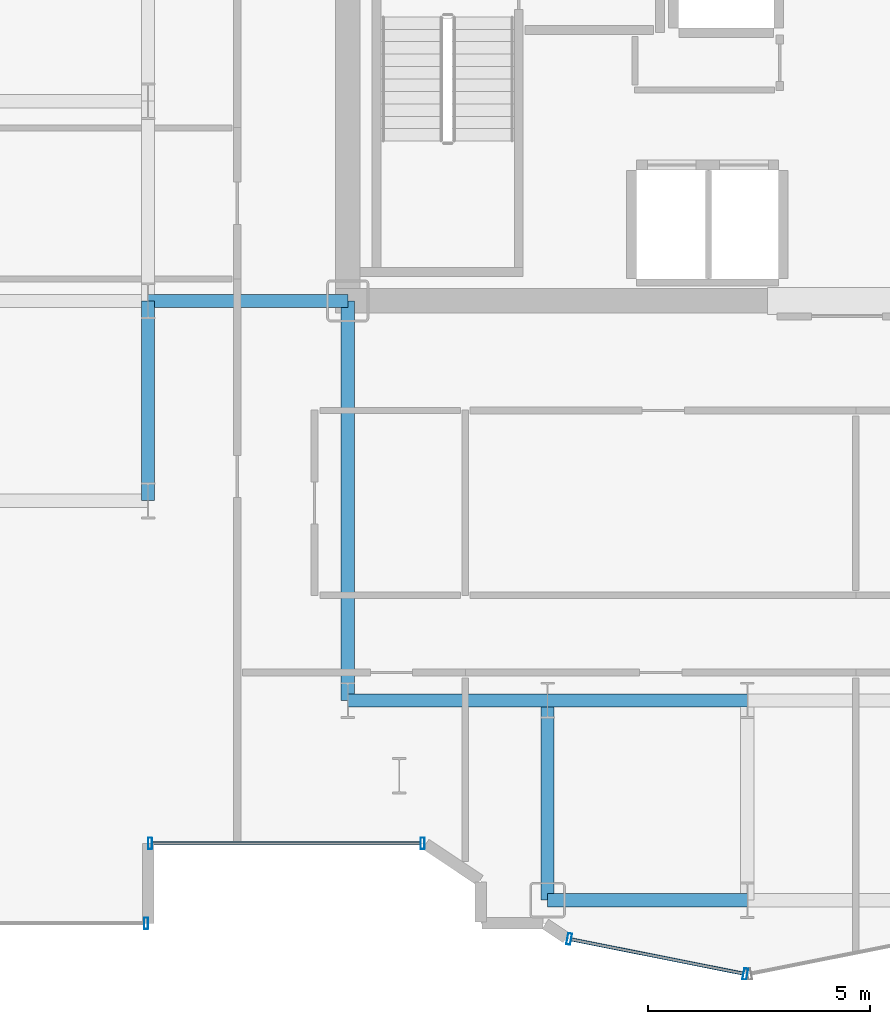
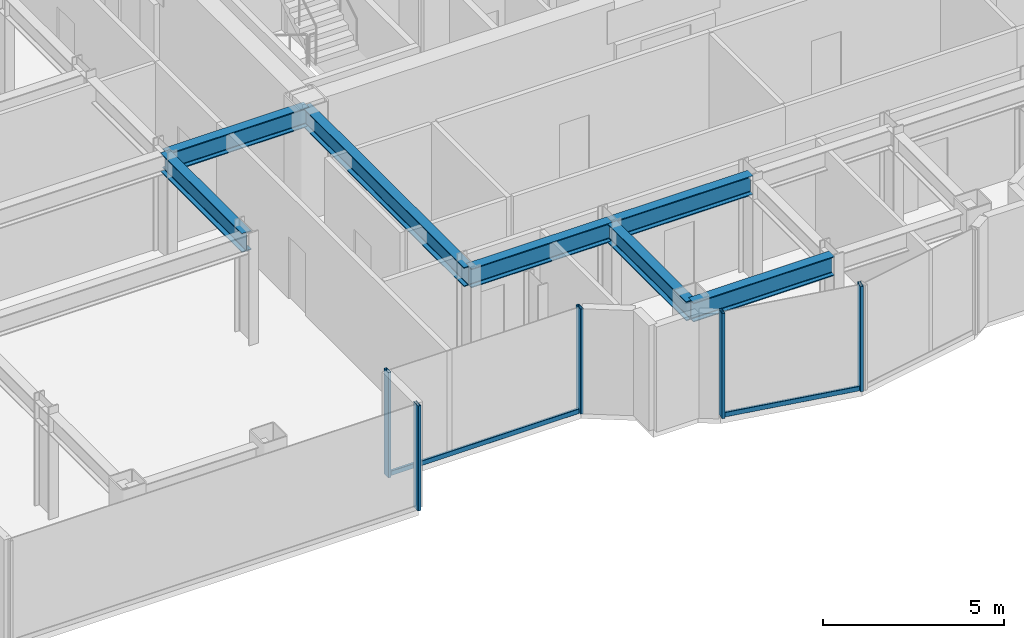
# One storey, part 5 of 23: 7 beams, 7 members, 3 elements without a shape of their own.
"""IFC4 building model written with IfcOpenShell, lengths in metres."""

from ifc_helpers import new_model, si_unit, direction, frame, origin, origin_2d, place, context, subcontext, project, spatial, hollow_rectangle, i_section, extrude, source, transform, mapped, material, layer, layer_set, material_profile, profile_set, type_object, element, aggregate, save


model = new_model("IFC4")

# Units and contexts
model_context = context("Model", 3, precision=1e-05, world=origin(), true_north=direction((0.0, 1.0)))
body_context = subcontext(model_context, "Body", "Model", "MODEL_VIEW")
ifc_project = project(units=[si_unit("LENGTHUNIT", "METRE"), si_unit("AREAUNIT", "SQUARE_METRE"), si_unit("VOLUMEUNIT", "CUBIC_METRE"), si_unit("PLANEANGLEUNIT", "RADIAN"), si_unit("MASSUNIT", "GRAM", prefix="KILO")], contexts=[model_context])

# Site, building, storey
site_placement = place(None, origin())
site = spatial("IfcSite", under=ifc_project, at=site_placement, CompositionType="ELEMENT")
building_placement = place(site_placement, origin())
building = spatial("IfcBuilding", under=site, at=building_placement, Name="Nefas-Gora Pilgrimage Tower", CompositionType="ELEMENT")
storey_placement = place(building_placement, frame((0.0, 0.0, 167.800048828125)))
storey = spatial("IfcBuildingStorey", under=building, at=storey_placement, Name="L41", CompositionType="ELEMENT", Elevation=167.800048828125)

# Beams
ifc_material_1 = material(Name="Steel S355", Category="steel")
ifc_material_profile_1 = material_profile(ifc_material_1, i_section(OverallWidth=0.300048828125, OverallDepth=0.64990234375, WebThickness=0.01611328125, FlangeThickness=0.031005859375, FilletRadius=0.027099609375, at=origin_2d()), Name="HEB 650")
ifc_profile_set_1 = profile_set([ifc_material_profile_1], Name="Steel S355")
beam_type = type_object("IfcBeamType", Name="BM-GIR-HEB650", PredefinedType="BEAM", material=ifc_profile_set_1)
shared_shape_1 = source(origin(), body_context, "Body", "SweptSolid", [
    extrude(i_section(OverallWidth=0.300048828125, OverallDepth=0.64990234375, WebThickness=0.01611328125, FlangeThickness=0.031005859375, FilletRadius=0.027099609375, at=origin_2d()), origin(), (0.0, 0.0, 1.0), 9.0),
])
beam_placement = place(storey_placement, frame((-11.25, -18.0, 3.224853515625), z_axis=(0.0, 1.0, 0.0), x_axis=(-1.0, 0.0, 0.0)))
element("IfcBeam", 1, at=beam_placement, inside=storey, type_object=beam_type, Name="L41 G-03 beam", PredefinedType="BEAM", context=body_context, shape_type="MappedRepresentation", body=[
    mapped(shared_shape_1, transform((0.0, 0.0, 0.0), x_axis=(1.0, 0.0, 0.0), y_axis=(0.0, 1.0, 0.0), z_axis=(0.0, 0.0, 1.0), scale=1.0)),
])
shared_shape_2 = source(origin(), body_context, "Body", "SweptSolid", [
    extrude(i_section(OverallWidth=0.300048828125, OverallDepth=0.64990234375, WebThickness=0.01611328125, FlangeThickness=0.031005859375, FilletRadius=0.027099609375, at=origin_2d()), origin(), (0.0, 0.0, 1.0), 4.5),
])
for number, where, z_axis, x_axis, name in (
    (2, (-15.75, -13.5, 3.224853515625), (0.0, 1.0, 0.0), (-1.0, 0.0, 0.0), "L41 G-03 beam"),
    (3, (-15.75, -9.0, 3.224853515625), (1.0, 0.0, 0.0), (0.0, 1.0, 0.0), "L41 G-03 beam"),
    (4, (-11.25, -18.0, 3.224853515625), (1.0, 0.0, 0.0), (0.0, 1.0, 0.0), "L41 G-03 beam"),
    (5, (-6.75, -22.5, 3.224853515625), (0.0, 1.0, 0.0), (-1.0, 0.0, 0.0), "L41 G-03 beam"),
    (6, (-6.75, -22.5, 3.224853515625), (1.0, 0.0, 0.0), (0.0, 1.0, 0.0), "L41 G-03 beam"),
    (7, (-6.75, -18.0, 3.224853515625), (1.0, 0.0, 0.0), (0.0, 1.0, 0.0), "L41 G-03 beam"),
):
    element("IfcBeam", number, at=place(storey_placement, frame(where, z_axis=z_axis, x_axis=x_axis)), inside=storey, type_object=beam_type, Name=name, PredefinedType="BEAM", context=body_context, shape_type="MappedRepresentation", body=[
        mapped(shared_shape_2, transform((0.0, 0.0, 0.0), x_axis=(1.0, 0.0, 0.0), y_axis=(0.0, 1.0, 0.0), z_axis=(0.0, 0.0, 1.0), scale=1.0)),
    ])

# Curtain wall, members
ifc_material_2 = material(Name="Dark ceramic-fritted solar-control aluminium-glass curtain wall", Category="aluminium")
ifc_layer_1 = layer(ifc_material_2, 0.219970703125)
ifc_layer_set_1 = layer_set([ifc_layer_1], Name="Dark ceramic-fritted solar-control aluminium-glass curtain wall")
curtain_wall_type_1 = type_object("IfcCurtainWallType", Name="CW-SYS-5", PredefinedType="NOTDEFINED", material=ifc_layer_set_1)
curtain_wall_1_placement = place(storey_placement, origin())
curtain_wall_1 = element("IfcCurtainWall", 8, at=curtain_wall_1_placement, inside=storey, type_object=curtain_wall_type_1, Name="L41 Unitised Curtain Wall CW5", PredefinedType="NOTDEFINED")
ifc_material_3 = material(Name="Anodised architectural aluminium", Category="aluminium")
ifc_material_profile_2 = material_profile(ifc_material_3, hollow_rectangle(XDim=0.090087890625, YDim=0.260009765625, WallThickness=0.006103515625, InnerFilletRadius=0.006103515625, OuterFilletRadius=0.011962890625, at=origin_2d()), Name="ALU MULLION 90x260")
ifc_profile_set_2 = profile_set([ifc_material_profile_2], Name="Anodised architectural aluminium")
member_type_1 = type_object("IfcMemberType", Name="CWM-MUL-5", PredefinedType="MULLION", material=ifc_profile_set_2)
shared_shape_3 = source(origin(), body_context, "Body", "SweptSolid", [
    extrude(hollow_rectangle(XDim=0.090087890625, YDim=0.260009765625, WallThickness=0.006103515625, InnerFilletRadius=0.006103515625, OuterFilletRadius=0.011962890625, at=origin_2d()), origin(), (0.0, 0.0, 1.0), 3.550048828125),
])
member_1_placement = place(storey_placement, frame((-15.705078125, -21.219970703125, 0.0), z_axis=(0.0, 0.0, 1.0), x_axis=(1.0, 0.0, 0.0)))
member_1 = element("IfcMember", 9, at=member_1_placement, type_object=member_type_1, Name="CW5 Mullion 1", PredefinedType="MULLION", context=body_context, shape_type="MappedRepresentation", body=[
    mapped(shared_shape_3, transform((0.0, 0.0, 0.0), x_axis=(1.0, 0.0, 0.0), y_axis=(0.0, 1.0, 0.0), z_axis=(0.0, 0.0, 1.0), scale=1.0)),
])
member_2_placement = place(storey_placement, frame((-9.56298828125, -21.219970703125, 0.0), z_axis=(0.0, 0.0, 1.0), x_axis=(1.0, 0.0, 0.0)))
member_2 = element("IfcMember", 10, at=member_2_placement, type_object=member_type_1, Name="CW5 Mullion 2", PredefinedType="MULLION", context=body_context, shape_type="MappedRepresentation", body=[
    mapped(shared_shape_3, transform((0.0, 0.0, 0.0), x_axis=(1.0, 0.0, 0.0), y_axis=(0.0, 1.0, 0.0), z_axis=(0.0, 0.0, 1.0), scale=1.0)),
])

curtain_wall_2_placement = place(storey_placement, origin())
curtain_wall_2 = element("IfcCurtainWall", 11, at=curtain_wall_2_placement, inside=storey, type_object=curtain_wall_type_1, Name="L41 Unitised Curtain Wall CW5", PredefinedType="NOTDEFINED")
member_3_placement = place(storey_placement, frame((-6.26318359375, -23.3740234375, 0.0), z_axis=(0.0, 0.0, 1.0), x_axis=(0.980782896852, -0.195102304554, 0.0)))
member_3 = element("IfcMember", 12, at=member_3_placement, type_object=member_type_1, Name="CW5 Mullion 1", PredefinedType="MULLION", context=body_context, shape_type="MappedRepresentation", body=[
    mapped(shared_shape_3, transform((0.0, 0.0, 0.0), x_axis=(1.0, 0.0, 0.0), y_axis=(0.0, 1.0, 0.0), z_axis=(0.0, 0.0, 1.0), scale=1.0)),
])
member_4_placement = place(storey_placement, frame((-2.294189453125, -24.16357421875, 0.0), z_axis=(0.0, 0.0, 1.0), x_axis=(0.980782896852, -0.195102304554, 0.0)))
member_4 = element("IfcMember", 13, at=member_4_placement, type_object=member_type_1, Name="CW5 Mullion 2", PredefinedType="MULLION", context=body_context, shape_type="MappedRepresentation", body=[
    mapped(shared_shape_3, transform((0.0, 0.0, 0.0), x_axis=(1.0, 0.0, 0.0), y_axis=(0.0, 1.0, 0.0), z_axis=(0.0, 0.0, 1.0), scale=1.0)),
])

# Member
ifc_material_profile_3 = material_profile(ifc_material_3, hollow_rectangle(XDim=0.080078125, YDim=0.159912109375, WallThickness=0.00439453125, InnerFilletRadius=0.00439453125, OuterFilletRadius=0.009033203125, at=origin_2d()), Name="ALU TRANSOM 80x160")
ifc_profile_set_3 = profile_set([ifc_material_profile_3], Name="Anodised architectural aluminium")
member_type_2 = type_object("IfcMemberType", Name="CWM-TRN-5", PredefinedType="USERDEFINED", material=ifc_profile_set_3)
shared_shape_4 = source(origin(), body_context, "Body", "SweptSolid", [
    extrude(hollow_rectangle(XDim=0.080078125, YDim=0.159912109375, WallThickness=0.00439453125, InnerFilletRadius=0.00439453125, OuterFilletRadius=0.009033203125, at=origin_2d()), origin(), (0.0, 0.0, 1.0), 6.052001953125),
])
member_5_placement = place(storey_placement, frame((-15.659912109375, -21.219970703125, 0.050048828125), z_axis=(1.0, 0.0, 0.0), x_axis=(0.0, 1.0, 0.0)))
member_5 = element("IfcMember", 14, at=member_5_placement, type_object=member_type_2, Name="CW5 Spandrel Transom", ObjectType="TRANSOM", PredefinedType="USERDEFINED", context=body_context, shape_type="MappedRepresentation", body=[
    mapped(shared_shape_4, transform((0.0, 0.0, 0.0), x_axis=(1.0, 0.0, 0.0), y_axis=(0.0, 1.0, 0.0), z_axis=(0.0, 0.0, 1.0), scale=1.0)),
])

aggregate(curtain_wall_1, [member_1, member_2, member_5])

shared_shape_5 = source(origin(), body_context, "Body", "SweptSolid", [
    extrude(hollow_rectangle(XDim=0.080078125, YDim=0.159912109375, WallThickness=0.00439453125, InnerFilletRadius=0.00439453125, OuterFilletRadius=0.009033203125, at=origin_2d()), origin(), (0.0, 0.0, 1.0), 3.95654296875),
])
member_6_placement = place(storey_placement, frame((-6.218994140625, -23.3828125, 0.050048828125), z_axis=(0.980781880918, -0.195107411605, 0.0), x_axis=(0.195107411605, 0.980781880918, 0.0)))
member_6 = element("IfcMember", 15, at=member_6_placement, type_object=member_type_2, Name="CW5 Spandrel Transom", ObjectType="TRANSOM", PredefinedType="USERDEFINED", context=body_context, shape_type="MappedRepresentation", body=[
    mapped(shared_shape_5, transform((0.0, 0.0, 0.0), x_axis=(1.0, 0.0, 0.0), y_axis=(0.0, 1.0, 0.0), z_axis=(0.0, 0.0, 1.0), scale=1.0)),
])

aggregate(curtain_wall_2, [member_3, member_4, member_6])

# Curtain wall, member
ifc_layer_2 = layer(ifc_material_2, 0.219970703125)
ifc_layer_set_2 = layer_set([ifc_layer_2], Name="Dark ceramic-fritted solar-control aluminium-glass curtain wall")
curtain_wall_type_2 = type_object("IfcCurtainWallType", Name="CW-SYS-3", PredefinedType="NOTDEFINED", material=ifc_layer_set_2)
curtain_wall_3_placement = place(storey_placement, origin())
curtain_wall_3 = element("IfcCurtainWall", 16, at=curtain_wall_3_placement, inside=storey, type_object=curtain_wall_type_2, Name="L41 Unitised Curtain Wall CW3", PredefinedType="NOTDEFINED")
ifc_material_profile_4 = material_profile(ifc_material_3, hollow_rectangle(XDim=0.090087890625, YDim=0.260009765625, WallThickness=0.006103515625, InnerFilletRadius=0.006103515625, OuterFilletRadius=0.011962890625, at=origin_2d()), Name="ALU MULLION 90x260")
ifc_profile_set_4 = profile_set([ifc_material_profile_4], Name="Anodised architectural aluminium")
member_type_3 = type_object("IfcMemberType", Name="CWM-MUL-3", PredefinedType="MULLION", material=ifc_profile_set_4)
shared_shape_6 = source(origin(), body_context, "Body", "SweptSolid", [
    extrude(hollow_rectangle(XDim=0.090087890625, YDim=0.260009765625, WallThickness=0.006103515625, InnerFilletRadius=0.006103515625, OuterFilletRadius=0.011962890625, at=origin_2d()), origin(), (0.0, 0.0, 1.0), 3.550048828125),
])
member_7_placement = place(storey_placement, frame((-15.794921875, -23.02001953125, 0.0), z_axis=(0.0, 0.0, 1.0), x_axis=(1.0, 0.0, 0.0)))
member_7 = element("IfcMember", 17, at=member_7_placement, type_object=member_type_3, Name="CW3 Mullion 2", PredefinedType="MULLION", context=body_context, shape_type="MappedRepresentation", body=[
    mapped(shared_shape_6, transform((0.0, 0.0, 0.0), x_axis=(1.0, 0.0, 0.0), y_axis=(0.0, 1.0, 0.0), z_axis=(0.0, 0.0, 1.0), scale=1.0)),
])
aggregate(curtain_wall_3, [member_7])

save(model, "model.ifc")
